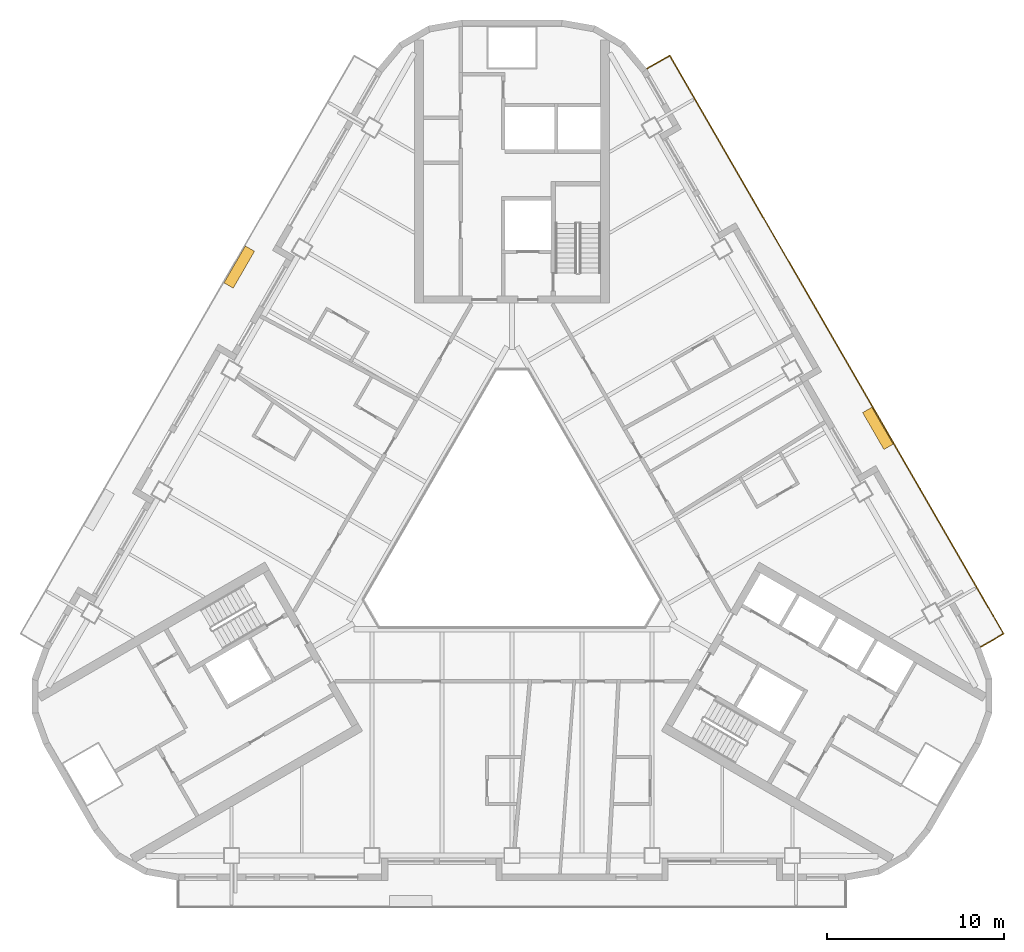
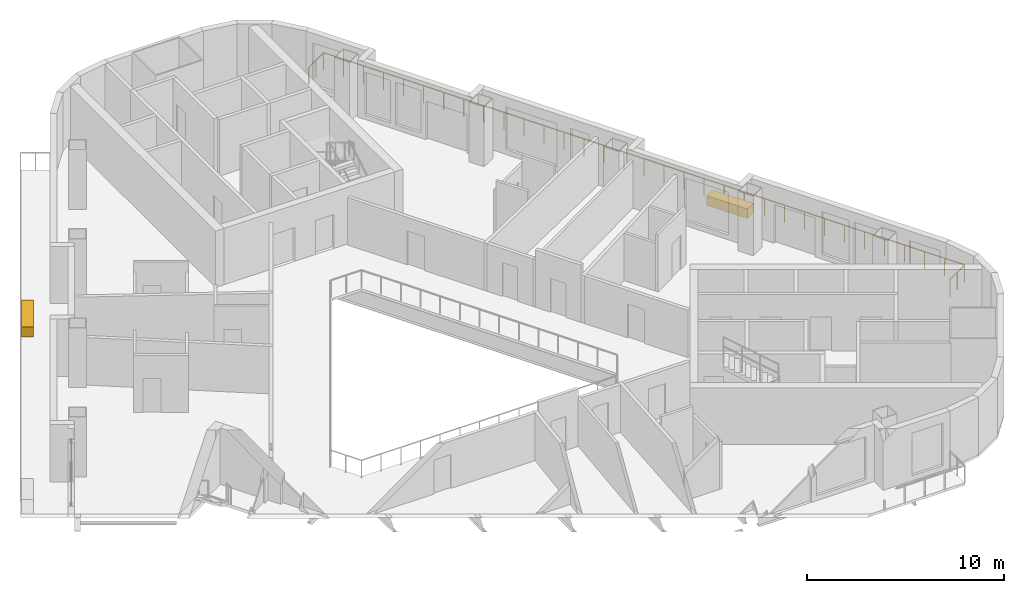
# One storey, part 12 of 13: 2 coverings, 1 railing.
"""IFC4 building model written with IfcOpenShell, lengths in metres."""

from ifc_helpers import new_model, si_unit, direction, frame, origin, origin_2d, place, context, subcontext, project, spatial, rectangle, extrude, material, type_object, element, save


model = new_model("IFC4")

# Units and contexts
model_context = context("Model", 3, precision=1e-05, world=origin(), true_north=direction((0.0, 1.0)))
body_context = subcontext(model_context, "Body", "Model", "MODEL_VIEW")
ifc_project = project(units=[si_unit("LENGTHUNIT", "METRE"), si_unit("AREAUNIT", "SQUARE_METRE"), si_unit("VOLUMEUNIT", "CUBIC_METRE"), si_unit("PLANEANGLEUNIT", "RADIAN"), si_unit("MASSUNIT", "GRAM", prefix="KILO")], contexts=[model_context])

# Site, building, storey
site_placement = place(None, origin())
site = spatial("IfcSite", under=ifc_project, at=site_placement, CompositionType="ELEMENT")
building_placement = place(site_placement, origin())
building = spatial("IfcBuilding", under=site, at=building_placement, Name="Apuvela Tower Hotel", CompositionType="ELEMENT")
storey_placement = place(building_placement, frame((0.0, 0.0, 124.199951171875)))
storey = spatial("IfcBuildingStorey", under=building, at=storey_placement, Name="L29", CompositionType="ELEMENT", Elevation=124.199951171875)

# Railing
ifc_material_1 = material(Name="Stainless steel 316 rail with laminated glass infill", Category="steel")
railing_type = type_object("IfcRailingType", Name="ENV-GUARD-1100", PredefinedType="GUARDRAIL", material=ifc_material_1)
railing_placement = place(storey_placement, frame((26.407958984375, -6.47998046875, 0.0)))
element("IfcRailing", 1, at=railing_placement, inside=storey, type_object=railing_type, Name="Balcony guard NE L29", PredefinedType="GUARDRAIL", context=body_context, shape_type="SweptSolid", body=[
    extrude(rectangle(XDim=0.050048828125, YDim=0.050048828125, at=origin_2d()), frame((0.0, 0.0, 1.0751953125), z_axis=(0.866031096941, 0.499990139034, 0.0), x_axis=(-0.499990139034, 0.866031096941, 0.0)), (0.0, 0.0, 1.0), 1.5),
    extrude(rectangle(XDim=0.050048828125, YDim=0.050048828125, at=origin_2d()), frame((1.299072265625, 0.75, 1.0751953125), z_axis=(-0.500000437506, 0.86602515119, 0.0), x_axis=(-0.86602515119, -0.500000437506, 0.0)), (0.0, 0.0, 1.0), 37.6318359375),
    extrude(rectangle(XDim=0.050048828125, YDim=0.050048828125, at=origin_2d()), frame((-17.516845703125, 33.340087890625, 1.0751953125), z_axis=(-0.86599040064, -0.500060622324, 0.0), x_axis=(0.500060622324, -0.86599040064, 0.0)), (0.0, 0.0, 1.0), 1.499755859375),
    extrude(rectangle(XDim=0.0400390625, YDim=0.0400390625, at=origin_2d()), origin(), (0.0, 0.0, 1.0), 1.050048828125),
    extrude(rectangle(XDim=0.0400390625, YDim=0.0400390625, at=origin_2d()), frame((0.6494140625, 0.375, 0.0)), (0.0, 0.0, 1.0), 1.050048828125),
    extrude(rectangle(XDim=0.0400390625, YDim=0.0400390625, at=origin_2d()), frame((1.299072265625, 0.75, 0.0)), (0.0, 0.0, 1.0), 1.050048828125),
    extrude(rectangle(XDim=0.0400390625, YDim=0.0400390625, at=origin_2d()), frame((0.711181640625, 1.7685546875, 0.0)), (0.0, 0.0, 1.0), 1.050048828125),
    extrude(rectangle(XDim=0.0400390625, YDim=0.0400390625, at=origin_2d()), frame((0.123046875, 2.786865234375, 0.0)), (0.0, 0.0, 1.0), 1.050048828125),
    extrude(rectangle(XDim=0.0400390625, YDim=0.0400390625, at=origin_2d()), frame((-0.46484375, 3.805419921875, 0.0)), (0.0, 0.0, 1.0), 1.050048828125),
    extrude(rectangle(XDim=0.0400390625, YDim=0.0400390625, at=origin_2d()), frame((-1.052978515625, 4.82373046875, 0.0)), (0.0, 0.0, 1.0), 1.050048828125),
    extrude(rectangle(XDim=0.0400390625, YDim=0.0400390625, at=origin_2d()), frame((-1.640869140625, 5.84228515625, 0.0)), (0.0, 0.0, 1.0), 1.050048828125),
    extrude(rectangle(XDim=0.0400390625, YDim=0.0400390625, at=origin_2d()), frame((-2.22900390625, 6.860595703125, 0.0)), (0.0, 0.0, 1.0), 1.050048828125),
    extrude(rectangle(XDim=0.0400390625, YDim=0.0400390625, at=origin_2d()), frame((-2.81689453125, 7.879150390625, 0.0)), (0.0, 0.0, 1.0), 1.050048828125),
    extrude(rectangle(XDim=0.0400390625, YDim=0.0400390625, at=origin_2d()), frame((-3.40478515625, 8.8974609375, 0.0)), (0.0, 0.0, 1.0), 1.050048828125),
    extrude(rectangle(XDim=0.0400390625, YDim=0.0400390625, at=origin_2d()), frame((-3.992919921875, 9.916015625, 0.0)), (0.0, 0.0, 1.0), 1.050048828125),
    extrude(rectangle(XDim=0.0400390625, YDim=0.0400390625, at=origin_2d()), frame((-4.580810546875, 10.934326171875, 0.0)), (0.0, 0.0, 1.0), 1.050048828125),
    extrude(rectangle(XDim=0.0400390625, YDim=0.0400390625, at=origin_2d()), frame((-5.1689453125, 11.952880859375, 0.0)), (0.0, 0.0, 1.0), 1.050048828125),
    extrude(rectangle(XDim=0.0400390625, YDim=0.0400390625, at=origin_2d()), frame((-5.7568359375, 12.97119140625, 0.0)), (0.0, 0.0, 1.0), 1.050048828125),
    extrude(rectangle(XDim=0.0400390625, YDim=0.0400390625, at=origin_2d()), frame((-6.344970703125, 13.98974609375, 0.0)), (0.0, 0.0, 1.0), 1.050048828125),
    extrude(rectangle(XDim=0.0400390625, YDim=0.0400390625, at=origin_2d()), frame((-6.932861328125, 15.008056640625, 0.0)), (0.0, 0.0, 1.0), 1.050048828125),
    extrude(rectangle(XDim=0.0400390625, YDim=0.0400390625, at=origin_2d()), frame((-7.52099609375, 16.026611328125, 0.0)), (0.0, 0.0, 1.0), 1.050048828125),
    extrude(rectangle(XDim=0.0400390625, YDim=0.0400390625, at=origin_2d()), frame((-8.10888671875, 17.044921875, 0.0)), (0.0, 0.0, 1.0), 1.050048828125),
    extrude(rectangle(XDim=0.0400390625, YDim=0.0400390625, at=origin_2d()), frame((-8.69677734375, 18.0634765625, 0.0)), (0.0, 0.0, 1.0), 1.050048828125),
    extrude(rectangle(XDim=0.0400390625, YDim=0.0400390625, at=origin_2d()), frame((-9.284912109375, 19.08203125, 0.0)), (0.0, 0.0, 1.0), 1.050048828125),
    extrude(rectangle(XDim=0.0400390625, YDim=0.0400390625, at=origin_2d()), frame((-9.872802734375, 20.100341796875, 0.0)), (0.0, 0.0, 1.0), 1.050048828125),
    extrude(rectangle(XDim=0.0400390625, YDim=0.0400390625, at=origin_2d()), frame((-10.4609375, 21.118896484375, 0.0)), (0.0, 0.0, 1.0), 1.050048828125),
    extrude(rectangle(XDim=0.0400390625, YDim=0.0400390625, at=origin_2d()), frame((-11.048828125, 22.13720703125, 0.0)), (0.0, 0.0, 1.0), 1.050048828125),
    extrude(rectangle(XDim=0.0400390625, YDim=0.0400390625, at=origin_2d()), frame((-11.636962890625, 23.15576171875, 0.0)), (0.0, 0.0, 1.0), 1.050048828125),
    extrude(rectangle(XDim=0.0400390625, YDim=0.0400390625, at=origin_2d()), frame((-12.224853515625, 24.174072265625, 0.0)), (0.0, 0.0, 1.0), 1.050048828125),
    extrude(rectangle(XDim=0.0400390625, YDim=0.0400390625, at=origin_2d()), frame((-12.81298828125, 25.192626953125, 0.0)), (0.0, 0.0, 1.0), 1.050048828125),
    extrude(rectangle(XDim=0.0400390625, YDim=0.0400390625, at=origin_2d()), frame((-13.40087890625, 26.2109375, 0.0)), (0.0, 0.0, 1.0), 1.050048828125),
    extrude(rectangle(XDim=0.0400390625, YDim=0.0400390625, at=origin_2d()), frame((-13.98876953125, 27.2294921875, 0.0)), (0.0, 0.0, 1.0), 1.050048828125),
    extrude(rectangle(XDim=0.0400390625, YDim=0.0400390625, at=origin_2d()), frame((-14.576904296875, 28.247802734375, 0.0)), (0.0, 0.0, 1.0), 1.050048828125),
    extrude(rectangle(XDim=0.0400390625, YDim=0.0400390625, at=origin_2d()), frame((-15.164794921875, 29.266357421875, 0.0)), (0.0, 0.0, 1.0), 1.050048828125),
    extrude(rectangle(XDim=0.0400390625, YDim=0.0400390625, at=origin_2d()), frame((-15.7529296875, 30.28466796875, 0.0)), (0.0, 0.0, 1.0), 1.050048828125),
    extrude(rectangle(XDim=0.0400390625, YDim=0.0400390625, at=origin_2d()), frame((-16.3408203125, 31.30322265625, 0.0)), (0.0, 0.0, 1.0), 1.050048828125),
    extrude(rectangle(XDim=0.0400390625, YDim=0.0400390625, at=origin_2d()), frame((-16.928955078125, 32.321533203125, 0.0)), (0.0, 0.0, 1.0), 1.050048828125),
    extrude(rectangle(XDim=0.0400390625, YDim=0.0400390625, at=origin_2d()), frame((-17.516845703125, 33.340087890625, 0.0)), (0.0, 0.0, 1.0), 1.050048828125),
    extrude(rectangle(XDim=0.0400390625, YDim=0.0400390625, at=origin_2d()), frame((-18.166259765625, 32.965087890625, 0.0)), (0.0, 0.0, 1.0), 1.050048828125),
    extrude(rectangle(XDim=0.0400390625, YDim=0.0400390625, at=origin_2d()), frame((-18.815673828125, 32.590087890625, 0.0)), (0.0, 0.0, 1.0), 1.050048828125),
])

# Coverings
ifc_material_2 = material(Name="Planting substrate and soil, planted")
covering_type = type_object("IfcCoveringType", Name="ENV-PLANTER-2400x600", PredefinedType="USERDEFINED", material=ifc_material_2)
for number, where, z_axis, x_axis, name in (
    (2, (20.62109375, 5.84326171875, 0.0), (0.0, 0.0, 1.0), (-0.5, 0.866025403784, 0.0), "Planter NE2"),
    (3, (-15.37109375, 14.936767578125, 0.0), (0.0, 0.0, 1.0), (-0.5, -0.866025403784, 0.0), "Planter NW3"),
):
    element("IfcCovering", number, at=place(storey_placement, frame(where, z_axis=z_axis, x_axis=x_axis)), inside=storey, type_object=covering_type, Name=name, ObjectType="PLANTER", PredefinedType="USERDEFINED", context=body_context, shape_type="SweptSolid", body=[
        extrude(rectangle(XDim=2.39990234375, YDim=0.60009765625, at=origin_2d()), origin(), (0.0, 0.0, 1.0), 0.60009765625),
    ])

save(model, "model.ifc")
